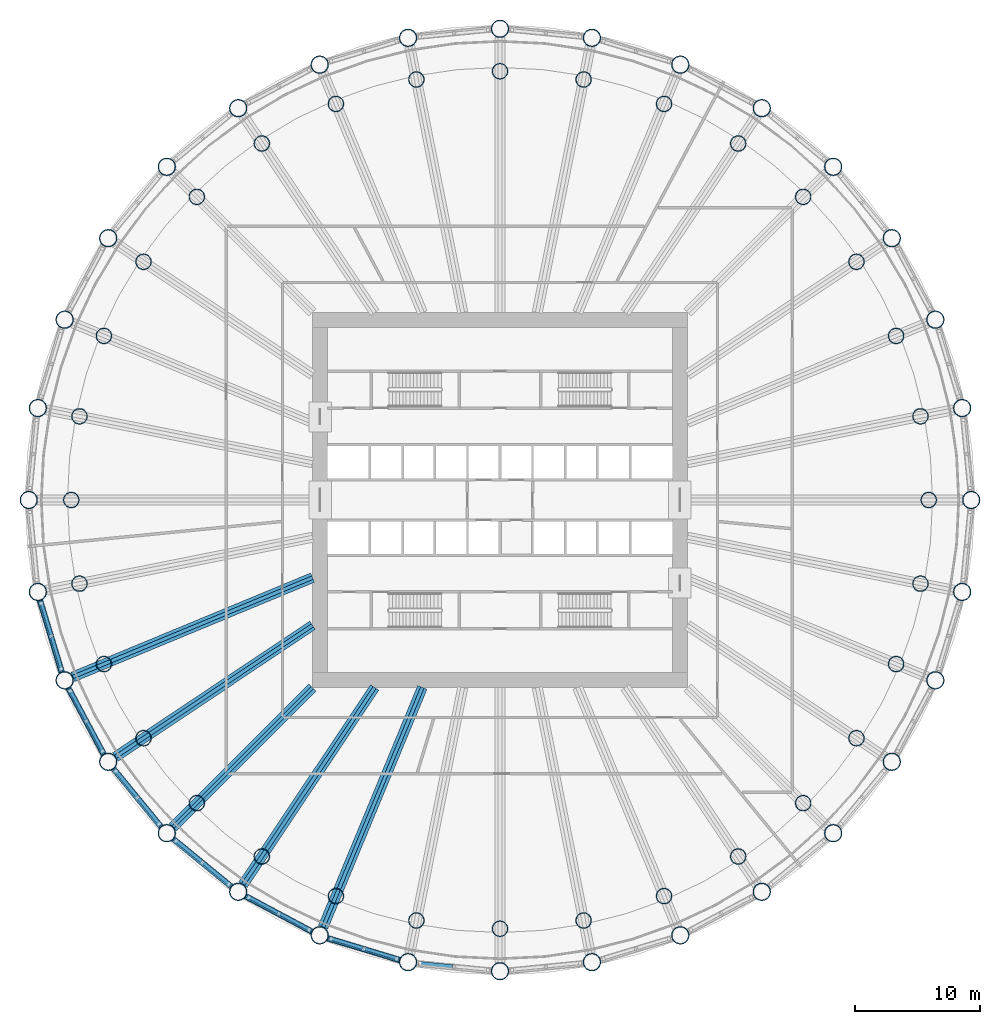
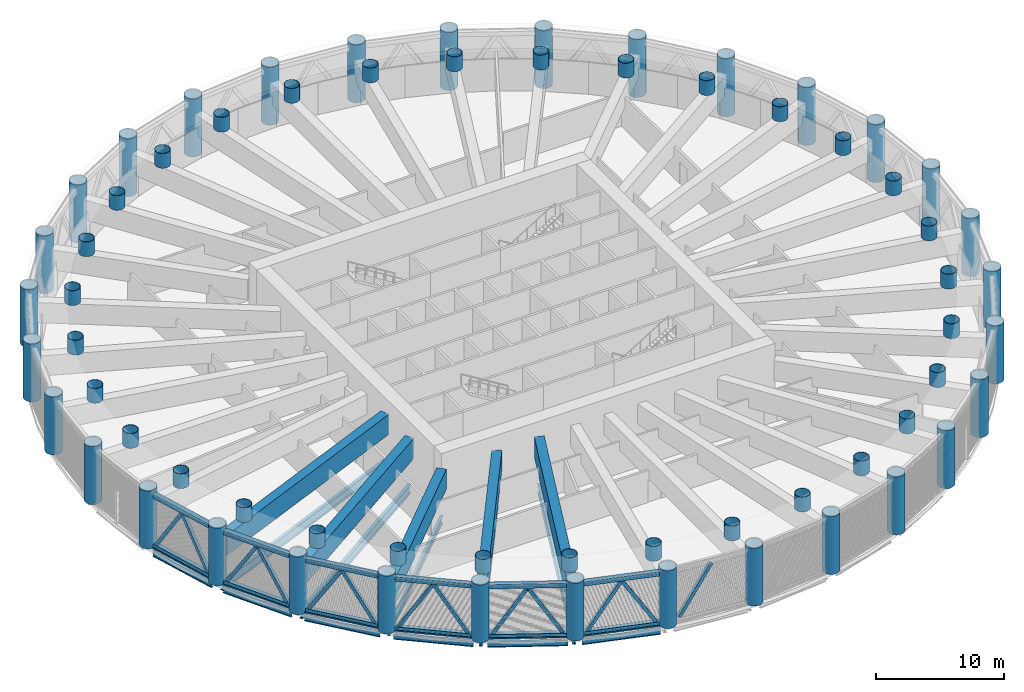
# One storey, part 1 of 26: 64 columns, 31 members, 16 beams, 6 elements without a shape of their own.
"""IFC4 building model written with IfcOpenShell, lengths in metres."""

from ifc_helpers import new_model, si_unit, direction, frame, origin, origin_2d, place, context, subcontext, project, spatial, rectangle, hollow_rectangle, hollow_circle, i_section, extrude, material, material_profile, profile_set, type_object, element, aggregate, save


model = new_model("IFC4")

# Units and contexts
model_context = context("Model", 3, precision=1e-05, world=origin(), true_north=direction((0.0, 1.0)))
body_context = subcontext(model_context, "Body", "Model", "MODEL_VIEW")
ifc_project = project(units=[si_unit("LENGTHUNIT", "METRE"), si_unit("AREAUNIT", "SQUARE_METRE"), si_unit("VOLUMEUNIT", "CUBIC_METRE"), si_unit("PLANEANGLEUNIT", "RADIAN"), si_unit("MASSUNIT", "GRAM", prefix="KILO")], contexts=[model_context])

# Site, building, storey
site_placement = place(None, origin())
site = spatial("IfcSite", under=ifc_project, at=site_placement, CompositionType="ELEMENT")
building_placement = place(site_placement, origin())
building = spatial("IfcBuilding", under=site, at=building_placement, Name="Corvane Civic Tower", CompositionType="ELEMENT")
storey_placement = place(building_placement, frame((0.0, 0.0, 85.0)))
storey = spatial("IfcBuildingStorey", under=building, at=storey_placement, Name="L19", CompositionType="ELEMENT", Elevation=85.0)

# Columns
ifc_material_1 = material(Name="Steel ASTM A572 Gr 50", Category="steel")
ifc_material_profile_1 = material_profile(ifc_material_1, hollow_circle(Radius=0.625, WallThickness=0.035888671875, at=origin_2d()), Name="CHS1250X36")
ifc_profile_set_1 = profile_set([ifc_material_profile_1], Name="Steel ASTM A572 Gr 50")
column_type_1 = type_object("IfcColumnType", Name="COMPOSITE COLUMN CHS1250X36", PredefinedType="COLUMN", material=ifc_profile_set_1)
for number, where, z_axis, x_axis, name in (
    (1, (0.0, 34.300048828125, 4.10009765625), (0.0, 0.0, 1.0), (1.0, 0.0, 0.0), "COL-L19-B01"),
    (2, (6.691650390625, 33.640869140625, 4.10009765625), (0.0, 0.0, 1.0), (1.0, 0.0, 0.0), "COL-L19-B02"),
    (3, (13.1259765625, 31.68896484375, 4.10009765625), (0.0, 0.0, 1.0), (1.0, 0.0, 0.0), "COL-L19-B03"),
    (4, (19.05615234375, 28.519287109375, 4.10009765625), (0.0, 0.0, 1.0), (1.0, 0.0, 0.0), "COL-L19-B04"),
    (5, (24.253662109375, 24.253662109375, 4.10009765625), (0.0, 0.0, 1.0), (1.0, 0.0, 0.0), "COL-L19-B05"),
    (6, (28.519287109375, 19.05615234375, 4.10009765625), (0.0, 0.0, 1.0), (1.0, 0.0, 0.0), "COL-L19-B06"),
    (7, (31.68896484375, 13.1259765625, 4.10009765625), (0.0, 0.0, 1.0), (1.0, 0.0, 0.0), "COL-L19-B07"),
    (8, (33.640869140625, 6.691650390625, 4.10009765625), (0.0, 0.0, 1.0), (1.0, 0.0, 0.0), "COL-L19-B08"),
    (9, (34.300048828125, 0.0, 4.10009765625), (0.0, 0.0, 1.0), (1.0, 0.0, 0.0), "COL-L19-B09"),
    (10, (33.640869140625, -6.691650390625, 4.10009765625), (0.0, 0.0, 1.0), (1.0, 0.0, 0.0), "COL-L19-B10"),
    (11, (31.68896484375, -13.1259765625, 4.10009765625), (0.0, 0.0, 1.0), (1.0, 0.0, 0.0), "COL-L19-B11"),
    (12, (28.519287109375, -19.05615234375, 4.10009765625), (0.0, 0.0, 1.0), (1.0, 0.0, 0.0), "COL-L19-B12"),
    (13, (24.253662109375, -24.253662109375, 4.10009765625), (0.0, 0.0, 1.0), (1.0, 0.0, 0.0), "COL-L19-B13"),
    (14, (19.05615234375, -28.519287109375, 4.10009765625), (0.0, 0.0, 1.0), (1.0, 0.0, 0.0), "COL-L19-B14"),
    (15, (13.1259765625, -31.68896484375, 4.10009765625), (0.0, 0.0, 1.0), (1.0, 0.0, 0.0), "COL-L19-B15"),
    (16, (6.691650390625, -33.640869140625, 4.10009765625), (0.0, 0.0, 1.0), (1.0, 0.0, 0.0), "COL-L19-B16"),
    (17, (0.0, -34.300048828125, 4.10009765625), (0.0, 0.0, 1.0), (1.0, 0.0, 0.0), "COL-L19-B17"),
    (18, (-6.691650390625, -33.640869140625, 4.10009765625), (0.0, 0.0, 1.0), (1.0, 0.0, 0.0), "COL-L19-B18"),
    (19, (-13.1259765625, -31.68896484375, 4.10009765625), (0.0, 0.0, 1.0), (1.0, 0.0, 0.0), "COL-L19-B19"),
    (20, (-19.05615234375, -28.519287109375, 4.10009765625), (0.0, 0.0, 1.0), (1.0, 0.0, 0.0), "COL-L19-B20"),
    (21, (-24.253662109375, -24.253662109375, 4.10009765625), (0.0, 0.0, 1.0), (1.0, 0.0, 0.0), "COL-L19-B21"),
    (22, (-28.519287109375, -19.05615234375, 4.10009765625), (0.0, 0.0, 1.0), (1.0, 0.0, 0.0), "COL-L19-B22"),
    (23, (-31.68896484375, -13.1259765625, 4.10009765625), (0.0, 0.0, 1.0), (1.0, 0.0, 0.0), "COL-L19-B23"),
    (24, (-33.640869140625, -6.691650390625, 4.10009765625), (0.0, 0.0, 1.0), (1.0, 0.0, 0.0), "COL-L19-B24"),
    (25, (-34.300048828125, 0.0, 4.10009765625), (0.0, 0.0, 1.0), (1.0, 0.0, 0.0), "COL-L19-B25"),
    (26, (-33.640869140625, 6.691650390625, 4.10009765625), (0.0, 0.0, 1.0), (1.0, 0.0, 0.0), "COL-L19-B26"),
    (27, (-31.68896484375, 13.1259765625, 4.10009765625), (0.0, 0.0, 1.0), (1.0, 0.0, 0.0), "COL-L19-B27"),
    (28, (-28.519287109375, 19.05615234375, 4.10009765625), (0.0, 0.0, 1.0), (1.0, 0.0, 0.0), "COL-L19-B28"),
    (29, (-24.253662109375, 24.253662109375, 4.10009765625), (0.0, 0.0, 1.0), (1.0, 0.0, 0.0), "COL-L19-B29"),
    (30, (-19.05615234375, 28.519287109375, 4.10009765625), (0.0, 0.0, 1.0), (1.0, 0.0, 0.0), "COL-L19-B30"),
    (31, (-13.1259765625, 31.68896484375, 4.10009765625), (0.0, 0.0, 1.0), (1.0, 0.0, 0.0), "COL-L19-B31"),
    (32, (-6.691650390625, 33.640869140625, 4.10009765625), (0.0, 0.0, 1.0), (1.0, 0.0, 0.0), "COL-L19-B32"),
):
    element("IfcColumn", number, at=place(storey_placement, frame(where, z_axis=z_axis, x_axis=x_axis)), inside=storey, type_object=column_type_1, Name=name, PredefinedType="COLUMN", context=body_context, shape_type="SweptSolid", body=[
        extrude(hollow_circle(Radius=0.625, WallThickness=0.035888671875, at=origin_2d()), origin(), (0.0, 0.0, 1.0), 1.39990234375),
    ])
ifc_material_2 = material(Name="Steel ASTM A572 Gr 50", Category="steel")
ifc_material_profile_2 = material_profile(ifc_material_2, hollow_circle(Radius=0.699951171875, WallThickness=0.0400390625, at=origin_2d()), Name="CHS1400X40")
ifc_profile_set_2 = profile_set([ifc_material_profile_2], Name="Steel ASTM A572 Gr 50")
column_type_2 = type_object("IfcColumnType", Name="COMPOSITE COLUMN CHS1400X40", PredefinedType="COLUMN", material=ifc_profile_set_2)
for number, where, z_axis, x_axis, name in (
    (33, (0.0, 37.699951171875, 0.0), (0.0, 0.0, 1.0), (1.0, 0.0, 0.0), "COL-L19-A01"),
    (34, (7.35498046875, 36.9755859375, 0.0), (0.0, 0.0, 1.0), (1.0, 0.0, 0.0), "COL-L19-A02"),
    (35, (14.42724609375, 34.830322265625, 0.0), (0.0, 0.0, 1.0), (1.0, 0.0, 0.0), "COL-L19-A03"),
    (36, (20.945068359375, 31.346435546875, 0.0), (0.0, 0.0, 1.0), (1.0, 0.0, 0.0), "COL-L19-A04"),
    (37, (26.657958984375, 26.657958984375, 0.0), (0.0, 0.0, 1.0), (1.0, 0.0, 0.0), "COL-L19-A05"),
    (38, (31.346435546875, 20.945068359375, 0.0), (0.0, 0.0, 1.0), (1.0, 0.0, 0.0), "COL-L19-A06"),
    (39, (34.830322265625, 14.42724609375, 0.0), (0.0, 0.0, 1.0), (1.0, 0.0, 0.0), "COL-L19-A07"),
    (40, (36.9755859375, 7.35498046875, 0.0), (0.0, 0.0, 1.0), (1.0, 0.0, 0.0), "COL-L19-A08"),
    (41, (37.699951171875, 0.0, 0.0), (0.0, 0.0, 1.0), (1.0, 0.0, 0.0), "COL-L19-A09"),
    (42, (36.9755859375, -7.35498046875, 0.0), (0.0, 0.0, 1.0), (1.0, 0.0, 0.0), "COL-L19-A10"),
    (43, (34.830322265625, -14.42724609375, 0.0), (0.0, 0.0, 1.0), (1.0, 0.0, 0.0), "COL-L19-A11"),
    (44, (31.346435546875, -20.945068359375, 0.0), (0.0, 0.0, 1.0), (1.0, 0.0, 0.0), "COL-L19-A12"),
    (45, (26.657958984375, -26.657958984375, 0.0), (0.0, 0.0, 1.0), (1.0, 0.0, 0.0), "COL-L19-A13"),
    (46, (20.945068359375, -31.346435546875, 0.0), (0.0, 0.0, 1.0), (1.0, 0.0, 0.0), "COL-L19-A14"),
    (47, (14.42724609375, -34.830322265625, 0.0), (0.0, 0.0, 1.0), (1.0, 0.0, 0.0), "COL-L19-A15"),
    (48, (7.35498046875, -36.9755859375, 0.0), (0.0, 0.0, 1.0), (1.0, 0.0, 0.0), "COL-L19-A16"),
    (49, (0.0, -37.699951171875, 0.0), (0.0, 0.0, 1.0), (1.0, 0.0, 0.0), "COL-L19-A17"),
    (50, (-7.35498046875, -36.9755859375, 0.0), (0.0, 0.0, 1.0), (1.0, 0.0, 0.0), "COL-L19-A18"),
    (51, (-14.42724609375, -34.830322265625, 0.0), (0.0, 0.0, 1.0), (1.0, 0.0, 0.0), "COL-L19-A19"),
    (52, (-20.945068359375, -31.346435546875, 0.0), (0.0, 0.0, 1.0), (1.0, 0.0, 0.0), "COL-L19-A20"),
    (53, (-26.657958984375, -26.657958984375, 0.0), (0.0, 0.0, 1.0), (1.0, 0.0, 0.0), "COL-L19-A21"),
    (54, (-31.346435546875, -20.945068359375, 0.0), (0.0, 0.0, 1.0), (1.0, 0.0, 0.0), "COL-L19-A22"),
    (55, (-34.830322265625, -14.42724609375, 0.0), (0.0, 0.0, 1.0), (1.0, 0.0, 0.0), "COL-L19-A23"),
    (56, (-36.9755859375, -7.35498046875, 0.0), (0.0, 0.0, 1.0), (1.0, 0.0, 0.0), "COL-L19-A24"),
    (57, (-37.699951171875, 0.0, 0.0), (0.0, 0.0, 1.0), (1.0, 0.0, 0.0), "COL-L19-A25"),
    (58, (-36.9755859375, 7.35498046875, 0.0), (0.0, 0.0, 1.0), (1.0, 0.0, 0.0), "COL-L19-A26"),
    (59, (-34.830322265625, 14.42724609375, 0.0), (0.0, 0.0, 1.0), (1.0, 0.0, 0.0), "COL-L19-A27"),
    (60, (-31.346435546875, 20.945068359375, 0.0), (0.0, 0.0, 1.0), (1.0, 0.0, 0.0), "COL-L19-A28"),
    (61, (-26.657958984375, 26.657958984375, 0.0), (0.0, 0.0, 1.0), (1.0, 0.0, 0.0), "COL-L19-A29"),
    (62, (-20.945068359375, 31.346435546875, 0.0), (0.0, 0.0, 1.0), (1.0, 0.0, 0.0), "COL-L19-A30"),
    (63, (-14.42724609375, 34.830322265625, 0.0), (0.0, 0.0, 1.0), (1.0, 0.0, 0.0), "COL-L19-A31"),
    (64, (-7.35498046875, 36.9755859375, 0.0), (0.0, 0.0, 1.0), (1.0, 0.0, 0.0), "COL-L19-A32"),
):
    element("IfcColumn", number, at=place(storey_placement, frame(where, z_axis=z_axis, x_axis=x_axis)), inside=storey, type_object=column_type_2, Name=name, PredefinedType="COLUMN", context=body_context, shape_type="SweptSolid", body=[
        extrude(hollow_circle(Radius=0.699951171875, WallThickness=0.0400390625, at=origin_2d()), origin(), (0.0, 0.0, 1.0), 5.5),
    ])

# Members
ifc_material_3 = material(Name="Steel ASTM A500 Gr C", Category="steel")
ifc_material_profile_3 = material_profile(ifc_material_3, hollow_rectangle(XDim=0.406494140625, YDim=0.406494140625, WallThickness=0.0146484375, at=origin_2d()), Name="HSS16X16X5/8")
ifc_profile_set_3 = profile_set([ifc_material_profile_3], Name="Steel ASTM A500 Gr C")
member_type_1 = type_object("IfcMemberType", Name="BELT CHORD HSS16X16X5/8", PredefinedType="CHORD", material=ifc_profile_set_3)
for number, where, z_axis, x_axis, name in (
    (65, (-8.02490234375, -36.7724609375, 4.94677734375), (-0.956935582172, 0.290300347181, 0.0), (-0.290300347181, -0.956935582172, 0.0), "Belt truss BT-L19"),
    (66, (-8.02490234375, -36.7724609375, 0.203125), (-0.956935582172, 0.290300347181, 0.0), (-0.290300347181, -0.956935582172, 0.0), "Belt truss BT-L19"),
):
    element("IfcMember", number, at=place(storey_placement, frame(where, z_axis=z_axis, x_axis=x_axis)), inside=storey, type_object=member_type_1, Name=name, PredefinedType="CHORD", context=body_context, shape_type="SweptSolid", body=[
        extrude(hollow_rectangle(XDim=0.406494140625, YDim=0.406494140625, WallThickness=0.0146484375, at=origin_2d()), origin(), (0.0, 0.0, 1.0), 5.990478515625),
    ])
for number, where, z_axis, x_axis, name in (
    (67, (-15.044677734375, -34.500244140625, 4.94677734375), (-0.881926118213, 0.471387655772, 0.0), (-0.471387655772, -0.881926118213, 0.0), "Belt truss BT-L19"),
    (68, (-15.044677734375, -34.500244140625, 0.203125), (-0.881926118213, 0.471387655772, 0.0), (-0.471387655772, -0.881926118213, 0.0), "Belt truss BT-L19"),
):
    element("IfcMember", number, at=place(storey_placement, frame(where, z_axis=z_axis, x_axis=x_axis)), inside=storey, type_object=member_type_1, Name=name, PredefinedType="CHORD", context=body_context, shape_type="SweptSolid", body=[
        extrude(hollow_rectangle(XDim=0.406494140625, YDim=0.406494140625, WallThickness=0.0146484375, at=origin_2d()), origin(), (0.0, 0.0, 1.0), 5.990234375),
    ])
for number, where, z_axis, x_axis, name in (
    (69, (-21.486083984375, -30.90234375, 4.94677734375), (-0.773023150081, 0.634377812851, 0.0), (-0.634377812851, -0.773023150081, 0.0), "Belt truss BT-L19"),
    (70, (-21.486083984375, -30.90234375, 0.203125), (-0.773023150081, 0.634377812851, 0.0), (-0.634377812851, -0.773023150081, 0.0), "Belt truss BT-L19"),
    (71, (-27.10205078125, -26.116943359375, 4.94677734375), (-0.634377812851, 0.773023150081, 0.0), (-0.773023150081, -0.634377812851, 0.0), "Belt truss BT-L19"),
    (72, (-27.10205078125, -26.116943359375, 0.203125), (-0.634377812851, 0.773023150081, 0.0), (-0.773023150081, -0.634377812851, 0.0), "Belt truss BT-L19"),
):
    element("IfcMember", number, at=place(storey_placement, frame(where, z_axis=z_axis, x_axis=x_axis)), inside=storey, type_object=member_type_1, Name=name, PredefinedType="CHORD", context=body_context, shape_type="SweptSolid", body=[
        extrude(hollow_rectangle(XDim=0.406494140625, YDim=0.406494140625, WallThickness=0.0146484375, at=origin_2d()), origin(), (0.0, 0.0, 1.0), 5.990478515625),
    ])
for number, where, z_axis, x_axis, name in (
    (73, (-31.676513671875, -20.32763671875, 4.94677734375), (-0.471387655772, 0.881926118213, 0.0), (-0.881926118213, -0.471387655772, 0.0), "Belt truss BT-L19"),
    (74, (-31.676513671875, -20.32763671875, 0.203125), (-0.471387655772, 0.881926118213, 0.0), (-0.881926118213, -0.471387655772, 0.0), "Belt truss BT-L19"),
):
    element("IfcMember", number, at=place(storey_placement, frame(where, z_axis=z_axis, x_axis=x_axis)), inside=storey, type_object=member_type_1, Name=name, PredefinedType="CHORD", context=body_context, shape_type="SweptSolid", body=[
        extrude(hollow_rectangle(XDim=0.406494140625, YDim=0.406494140625, WallThickness=0.0146484375, at=origin_2d()), origin(), (0.0, 0.0, 1.0), 5.990234375),
    ])
for number, where, z_axis, x_axis, name in (
    (75, (-35.033447265625, -13.75732421875, 4.94677734375), (-0.290300347181, 0.956935582172, 0.0), (-0.956935582172, -0.290300347181, 0.0), "Belt truss BT-L19"),
    (76, (-35.033447265625, -13.75732421875, 0.203125), (-0.290300347181, 0.956935582172, 0.0), (-0.956935582172, -0.290300347181, 0.0), "Belt truss BT-L19"),
):
    element("IfcMember", number, at=place(storey_placement, frame(where, z_axis=z_axis, x_axis=x_axis)), inside=storey, type_object=member_type_1, Name=name, PredefinedType="CHORD", context=body_context, shape_type="SweptSolid", body=[
        extrude(hollow_rectangle(XDim=0.406494140625, YDim=0.406494140625, WallThickness=0.0146484375, at=origin_2d()), origin(), (0.0, 0.0, 1.0), 5.990478515625),
    ])
ifc_material_4 = material(Name="Steel ASTM A500 Gr C", Category="steel")
ifc_material_profile_4 = material_profile(ifc_material_4, hollow_rectangle(XDim=0.3046875, YDim=0.3046875, WallThickness=0.01171875, at=origin_2d()), Name="HSS12X12X1/2")
ifc_profile_set_4 = profile_set([ifc_material_profile_4], Name="Steel ASTM A500 Gr C")
member_type_2 = type_object("IfcMemberType", Name="BELT DIAGONAL HSS12X12X1/2", PredefinedType="BRACE", material=ifc_profile_set_4)
for number, where, z_axis, x_axis, name in (
    (77, (-6.40966796875, -37.068603515625, 0.406494140625), (0.532271292461, -0.052461373924, 0.844946788542), (0.098086074712, 0.995177934817, 0.0), "Belt truss BT-L19"),
    (78, (-8.26416015625, -36.699951171875, 0.406494140625), (-0.511781874141, 0.155294406977, 0.844963289417), (-0.290365274905, -0.956915882996, 0.0), "Belt truss BT-L19"),
):
    element("IfcMember", number, at=place(storey_placement, frame(where, z_axis=z_axis, x_axis=x_axis)), inside=storey, type_object=member_type_2, Name=name, PredefinedType="BRACE", context=body_context, shape_type="SweptSolid", body=[
        extrude(hollow_rectangle(XDim=0.3046875, YDim=0.3046875, WallThickness=0.01171875, at=origin_2d()), origin(), (0.0, 0.0, 1.0), 5.133056640625),
    ])
member_1_placement = place(storey_placement, frame((-13.51806640625, -35.106201171875, 0.406494140625), z_axis=(0.511789432368, -0.155201572288, 0.844975768218), x_axis=(0.290202393071, 0.956965292503, 0.0)))
element("IfcMember", 79, at=member_1_placement, inside=storey, type_object=member_type_2, Name="Belt truss BT-L19", PredefinedType="BRACE", context=body_context, shape_type="SweptSolid", body=[
    extrude(hollow_rectangle(XDim=0.3046875, YDim=0.3046875, WallThickness=0.01171875, at=origin_2d()), origin(), (0.0, 0.0, 1.0), 5.1328125),
])
member_2_placement = place(storey_placement, frame((-15.26513671875, -34.382568359375, 0.406494140625), z_axis=(-0.471680795624, 0.252130674357, 0.844954052057), x_axis=(-0.47141424069, -0.881911908115, 0.0)))
element("IfcMember", 80, at=member_2_placement, inside=storey, type_object=member_type_2, Name="Belt truss BT-L19", PredefinedType="BRACE", context=body_context, shape_type="SweptSolid", body=[
    extrude(hollow_rectangle(XDim=0.3046875, YDim=0.3046875, WallThickness=0.01171875, at=origin_2d()), origin(), (0.0, 0.0, 1.0), 5.133056640625),
])
for number, where, z_axis, x_axis, name in (
    (81, (-20.107177734375, -31.794189453125, 0.406494140625), (0.471643813443, -0.252136330684, 0.844973007847), (0.471451215163, 0.881892142907, 0.0), "Belt truss BT-L19"),
    (82, (-21.679443359375, -30.74365234375, 0.406494140625), (-0.413424223183, 0.339272317529, 0.844970239857), (-0.634375212776, -0.773025283814, 0.0), "Belt truss BT-L19"),
    (83, (-25.923583984375, -27.2607421875, 0.406494140625), (0.413424223183, -0.339272317529, 0.844970239857), (0.634375212776, 0.773025283814, 0.0), "Belt truss BT-L19"),
    (84, (-27.2607421875, -25.923583984375, 0.406494140625), (-0.339272317529, 0.413424223183, 0.844970239857), (-0.773025283814, -0.634375212776, 0.0), "Belt truss BT-L19"),
    (85, (-30.74365234375, -21.679443359375, 0.406494140625), (0.339272317529, -0.413424223183, 0.844970239857), (0.773025283814, 0.634375212776, 0.0), "Belt truss BT-L19"),
    (86, (-31.794189453125, -20.107177734375, 0.406494140625), (-0.252136330684, 0.471643813443, 0.844973007847), (-0.881892142907, -0.471451215163, 0.0), "Belt truss BT-L19"),
):
    element("IfcMember", number, at=place(storey_placement, frame(where, z_axis=z_axis, x_axis=x_axis)), inside=storey, type_object=member_type_2, Name=name, PredefinedType="BRACE", context=body_context, shape_type="SweptSolid", body=[
        extrude(hollow_rectangle(XDim=0.3046875, YDim=0.3046875, WallThickness=0.01171875, at=origin_2d()), origin(), (0.0, 0.0, 1.0), 5.1328125),
    ])
member_3_placement = place(storey_placement, frame((-34.382568359375, -15.26513671875, 0.406494140625), z_axis=(0.252130674357, -0.471680795624, 0.844954052057), x_axis=(0.881911908115, 0.47141424069, 0.0)))
element("IfcMember", 87, at=member_3_placement, inside=storey, type_object=member_type_2, Name="Belt truss BT-L19", PredefinedType="BRACE", context=body_context, shape_type="SweptSolid", body=[
    extrude(hollow_rectangle(XDim=0.3046875, YDim=0.3046875, WallThickness=0.01171875, at=origin_2d()), origin(), (0.0, 0.0, 1.0), 5.133056640625),
])
member_4_placement = place(storey_placement, frame((-35.106201171875, -13.51806640625, 0.406494140625), z_axis=(-0.155201572288, 0.511789432368, 0.844975768218), x_axis=(-0.956965292503, -0.290202393071, 0.0)))
element("IfcMember", 88, at=member_4_placement, inside=storey, type_object=member_type_2, Name="Belt truss BT-L19", PredefinedType="BRACE", context=body_context, shape_type="SweptSolid", body=[
    extrude(hollow_rectangle(XDim=0.3046875, YDim=0.3046875, WallThickness=0.01171875, at=origin_2d()), origin(), (0.0, 0.0, 1.0), 5.1328125),
])
member_5_placement = place(storey_placement, frame((-36.699951171875, -8.26416015625, 0.406494140625), z_axis=(0.155294406977, -0.511781874141, 0.844963289417), x_axis=(0.956915882996, 0.290365274905, 0.0)))
element("IfcMember", 89, at=member_5_placement, inside=storey, type_object=member_type_2, Name="Belt truss BT-L19", PredefinedType="BRACE", context=body_context, shape_type="SweptSolid", body=[
    extrude(hollow_rectangle(XDim=0.3046875, YDim=0.3046875, WallThickness=0.01171875, at=origin_2d()), origin(), (0.0, 0.0, 1.0), 5.133056640625),
])

# Beams
ifc_material_5 = material(Name="Steel ASTM A992 Gr 50", Category="steel")
ifc_material_profile_5 = material_profile(ifc_material_5, i_section(OverallWidth=0.209228515625, OverallDepth=0.533447265625, WebThickness=0.01025390625, FlangeThickness=0.015625, at=origin_2d()), Name="W21X62")
ifc_profile_set_5 = profile_set([ifc_material_profile_5], Name="Steel ASTM A992 Gr 50")
beam_type_1 = type_object("IfcBeamType", Name="EDGE BEAM W21X62", PredefinedType="BEAM", material=ifc_profile_set_5)
for number, where, z_axis, x_axis, name in (
    (90, (-7.88134765625, -36.81591796875, -0.61669921875), (-0.956943740748, 0.290273452184, 0.0), (-0.290273452184, -0.956943740748, 0.0), "BM-L19-E18"),
    (91, (-14.912353515625, -34.571044921875, -0.61669921875), (-0.881916367906, 0.471405897311, 0.0), (-0.471405897311, -0.881916367906, 0.0), "BM-L19-E19"),
):
    element("IfcBeam", number, at=place(storey_placement, frame(where, z_axis=z_axis, x_axis=x_axis)), inside=storey, type_object=beam_type_1, Name=name, PredefinedType="BEAM", context=body_context, shape_type="SweptSolid", body=[
        extrude(i_section(OverallWidth=0.209228515625, OverallDepth=0.533447265625, WebThickness=0.01025390625, FlangeThickness=0.015625, at=origin_2d()), origin(), (0.0, 0.0, 1.0), 6.290283203125),
    ])
for number, where, z_axis, x_axis, name in (
    (92, (-21.3701171875, -30.99755859375, -0.61669921875), (-0.773015785286, 0.634386787141, 0.0), (-0.634386787141, -0.773015785286, 0.0), "BM-L19-E20"),
    (93, (-27.0068359375, -26.23291015625, -0.61669921875), (-0.634386787141, 0.773015785286, 0.0), (-0.773015785286, -0.634386787141, 0.0), "BM-L19-E21"),
):
    element("IfcBeam", number, at=place(storey_placement, frame(where, z_axis=z_axis, x_axis=x_axis)), inside=storey, type_object=beam_type_1, Name=name, PredefinedType="BEAM", context=body_context, shape_type="SweptSolid", body=[
        extrude(i_section(OverallWidth=0.209228515625, OverallDepth=0.533447265625, WebThickness=0.01025390625, FlangeThickness=0.015625, at=origin_2d()), origin(), (0.0, 0.0, 1.0), 6.290771484375),
    ])
for number, where, z_axis, x_axis, name in (
    (94, (-31.605712890625, -20.4599609375, -0.61669921875), (-0.471405897311, 0.881916367906, 0.0), (-0.881916367906, -0.471405897311, 0.0), "BM-L19-E22"),
    (95, (-34.989990234375, -13.90087890625, -0.61669921875), (-0.290273452184, 0.956943740748, 0.0), (-0.956943740748, -0.290273452184, 0.0), "BM-L19-E23"),
):
    element("IfcBeam", number, at=place(storey_placement, frame(where, z_axis=z_axis, x_axis=x_axis)), inside=storey, type_object=beam_type_1, Name=name, PredefinedType="BEAM", context=body_context, shape_type="SweptSolid", body=[
        extrude(i_section(OverallWidth=0.209228515625, OverallDepth=0.533447265625, WebThickness=0.01025390625, FlangeThickness=0.015625, at=origin_2d()), origin(), (0.0, 0.0, 1.0), 6.290283203125),
    ])
ifc_material_6 = material(Name="Steel ASTM A992 Gr 50", Category="steel")
ifc_material_profile_6 = material_profile(ifc_material_6, i_section(OverallWidth=0.256591796875, OverallDepth=0.693359375, WebThickness=0.014404296875, FlangeThickness=0.023681640625, at=origin_2d()), Name="W27X114")
ifc_profile_set_6 = profile_set([ifc_material_profile_6], Name="Steel ASTM A992 Gr 50")
beam_type_2 = type_object("IfcBeamType", Name="FLOOR GIRDER W27X114", PredefinedType="BEAM", material=ifc_profile_set_6)
beam_1_placement = place(storey_placement, frame((-15.0, -15.0, -0.69677734375), z_axis=(-0.707106781187, -0.707106781187, 0.0), x_axis=(0.707106781187, -0.707106781187, 0.0)))
element("IfcBeam", 96, at=beam_1_placement, inside=storey, type_object=beam_type_2, Name="BM-L19-G21", PredefinedType="BEAM", context=body_context, shape_type="SweptSolid", body=[
    extrude(i_section(OverallWidth=0.256591796875, OverallDepth=0.693359375, WebThickness=0.014404296875, FlangeThickness=0.023681640625, at=origin_2d()), origin(), (0.0, 0.0, 1.0), 15.936767578125),
])
ifc_material_7 = material(Name="Steel ASTM A992 Gr 50", Category="steel")
ifc_material_profile_7 = material_profile(ifc_material_7, i_section(OverallWidth=0.2919921875, OverallDepth=0.8583984375, WebThickness=0.01708984375, FlangeThickness=0.031005859375, at=origin_2d()), Name="W33X169")
ifc_profile_set_7 = profile_set([ifc_material_profile_7], Name="Steel ASTM A992 Gr 50")
beam_type_3 = type_object("IfcBeamType", Name="FLOOR GIRDER W33X169", PredefinedType="BEAM", material=ifc_profile_set_7)
beam_2_placement = place(storey_placement, frame((-6.213134765625, -15.0, -0.779296875), z_axis=(-0.382692360381, -0.923875834355, 0.0), x_axis=(0.923875834355, -0.382692360381, 0.0)))
element("IfcBeam", 97, at=beam_2_placement, inside=storey, type_object=beam_type_3, Name="BM-L19-G19", PredefinedType="BEAM", context=body_context, shape_type="SweptSolid", body=[
    extrude(i_section(OverallWidth=0.2919921875, OverallDepth=0.8583984375, WebThickness=0.01708984375, FlangeThickness=0.031005859375, at=origin_2d()), origin(), (0.0, 0.0, 1.0), 20.9140625),
])
for number, where, z_axis, x_axis, name in (
    (98, (-10.022705078125, -15.0, -0.779296875), (-0.555566681385, -0.831471985418, 0.0), (0.831471985418, -0.555566681385, 0.0), "BM-L19-G20"),
    (99, (-15.0, -10.022705078125, -0.779296875), (-0.831471985418, -0.555566681385, 0.0), (0.555566681385, -0.831471985418, 0.0), "BM-L19-G22"),
):
    element("IfcBeam", number, at=place(storey_placement, frame(where, z_axis=z_axis, x_axis=x_axis)), inside=storey, type_object=beam_type_3, Name=name, PredefinedType="BEAM", context=body_context, shape_type="SweptSolid", body=[
        extrude(i_section(OverallWidth=0.2919921875, OverallDepth=0.8583984375, WebThickness=0.01708984375, FlangeThickness=0.031005859375, at=origin_2d()), origin(), (0.0, 0.0, 1.0), 19.109619140625),
    ])
beam_3_placement = place(storey_placement, frame((-15.0, -6.213134765625, -0.779296875), z_axis=(-0.923875834355, -0.382692360381, 0.0), x_axis=(0.382692360381, -0.923875834355, 0.0)))
element("IfcBeam", 100, at=beam_3_placement, inside=storey, type_object=beam_type_3, Name="BM-L19-G23", PredefinedType="BEAM", context=body_context, shape_type="SweptSolid", body=[
    extrude(i_section(OverallWidth=0.2919921875, OverallDepth=0.8583984375, WebThickness=0.01708984375, FlangeThickness=0.031005859375, at=origin_2d()), origin(), (0.0, 0.0, 1.0), 20.9140625),
])

# Curtain wall, member
ifc_material_8 = material(Name="Anodised aluminium bronze", Category="aluminium")
curtain_wall_type = type_object("IfcCurtainWallType", Name="TOWER CW-LV LOUVRE SCREEN WALL", PredefinedType="NOTDEFINED", material=ifc_material_8)
curtain_wall_1_placement = place(storey_placement, origin())
curtain_wall_1 = element("IfcCurtainWall", 101, at=curtain_wall_1_placement, inside=storey, type_object=curtain_wall_type, Name="Louvre screen wall CW-LV L19 bay 18", PredefinedType="NOTDEFINED")
ifc_material_9 = material(Name="Anodised aluminium bronze", Category="aluminium")
ifc_material_profile_8 = material_profile(ifc_material_9, rectangle(XDim=0.139892578125, YDim=0.1201171875, at=origin_2d()), Name="TOWER CW-LV TRANSOM 140x120")
ifc_profile_set_8 = profile_set([ifc_material_profile_8], Name="Anodised aluminium bronze")
member_type_3 = type_object("IfcMemberType", Name="TOWER CW-LV TRANSOM 140x120", PredefinedType="USERDEFINED", material=ifc_profile_set_8)
member_6_placement = place(storey_placement, frame((-8.02587890625, -36.959228515625, 0.06005859375), z_axis=(-0.956944551866, 0.29027077816, 0.0), x_axis=(-0.29027077816, -0.956944551866, 0.0)))
member_6 = element("IfcMember", 102, at=member_6_placement, type_object=member_type_3, Name="Transom CW-LV L19 18.1", ObjectType="TRANSOM", PredefinedType="USERDEFINED", context=body_context, shape_type="SweptSolid", body=[
    extrude(rectangle(XDim=0.139892578125, YDim=0.1201171875, at=origin_2d()), origin(), (0.0, 0.0, 1.0), 6.096923828125),
])
aggregate(curtain_wall_1, [member_6])

curtain_wall_2_placement = place(storey_placement, origin())
curtain_wall_2 = element("IfcCurtainWall", 103, at=curtain_wall_2_placement, inside=storey, type_object=curtain_wall_type, Name="Louvre screen wall CW-LV L19 bay 19", PredefinedType="NOTDEFINED")
member_7_placement = place(storey_placement, frame((-15.08203125, -34.683349609375, 0.06005859375), z_axis=(-0.881931381664, 0.47137780817, 0.0), x_axis=(-0.47137780817, -0.881931381664, 0.0)))
member_7 = element("IfcMember", 104, at=member_7_placement, type_object=member_type_3, Name="Transom CW-LV L19 19.1", ObjectType="TRANSOM", PredefinedType="USERDEFINED", context=body_context, shape_type="SweptSolid", body=[
    extrude(rectangle(XDim=0.139892578125, YDim=0.1201171875, at=origin_2d()), origin(), (0.0, 0.0, 1.0), 6.09716796875),
])
aggregate(curtain_wall_2, [member_7])

curtain_wall_3_placement = place(storey_placement, origin())
curtain_wall_3 = element("IfcCurtainWall", 105, at=curtain_wall_3_placement, inside=storey, type_object=curtain_wall_type, Name="Louvre screen wall CW-LV L19 bay 20", PredefinedType="NOTDEFINED")
member_8_placement = place(storey_placement, frame((-21.55859375, -31.074462890625, 0.06005859375), z_axis=(-0.77301446029, 0.634388401677, 0.0), x_axis=(-0.634388401677, -0.77301446029, 0.0)))
member_8 = element("IfcMember", 106, at=member_8_placement, type_object=member_type_3, Name="Transom CW-LV L19 20.1", ObjectType="TRANSOM", PredefinedType="USERDEFINED", context=body_context, shape_type="SweptSolid", body=[
    extrude(rectangle(XDim=0.139892578125, YDim=0.1201171875, at=origin_2d()), origin(), (0.0, 0.0, 1.0), 6.09716796875),
])
aggregate(curtain_wall_3, [member_8])

curtain_wall_4_placement = place(storey_placement, origin())
curtain_wall_4 = element("IfcCurtainWall", 107, at=curtain_wall_4_placement, inside=storey, type_object=curtain_wall_type, Name="Louvre screen wall CW-LV L19 bay 21", PredefinedType="NOTDEFINED")
member_9_placement = place(storey_placement, frame((-27.20654296875, -26.271728515625, 0.06005859375), z_axis=(-0.634388401677, 0.77301446029, 0.0), x_axis=(-0.77301446029, -0.634388401677, 0.0)))
member_9 = element("IfcMember", 108, at=member_9_placement, type_object=member_type_3, Name="Transom CW-LV L19 21.1", ObjectType="TRANSOM", PredefinedType="USERDEFINED", context=body_context, shape_type="SweptSolid", body=[
    extrude(rectangle(XDim=0.139892578125, YDim=0.1201171875, at=origin_2d()), origin(), (0.0, 0.0, 1.0), 6.09716796875),
])
aggregate(curtain_wall_4, [member_9])

curtain_wall_5_placement = place(storey_placement, origin())
curtain_wall_5 = element("IfcCurtainWall", 109, at=curtain_wall_5_placement, inside=storey, type_object=curtain_wall_type, Name="Louvre screen wall CW-LV L19 bay 22", PredefinedType="NOTDEFINED")
member_10_placement = place(storey_placement, frame((-31.809326171875, -20.459228515625, 0.06005859375), z_axis=(-0.47137780817, 0.881931381664, 0.0), x_axis=(-0.881931381664, -0.47137780817, 0.0)))
member_10 = element("IfcMember", 110, at=member_10_placement, type_object=member_type_3, Name="Transom CW-LV L19 22.1", ObjectType="TRANSOM", PredefinedType="USERDEFINED", context=body_context, shape_type="SweptSolid", body=[
    extrude(rectangle(XDim=0.139892578125, YDim=0.1201171875, at=origin_2d()), origin(), (0.0, 0.0, 1.0), 6.09716796875),
])
aggregate(curtain_wall_5, [member_10])

curtain_wall_6_placement = place(storey_placement, origin())
curtain_wall_6 = element("IfcCurtainWall", 111, at=curtain_wall_6_placement, inside=storey, type_object=curtain_wall_type, Name="Louvre screen wall CW-LV L19 bay 23", PredefinedType="NOTDEFINED")
member_11_placement = place(storey_placement, frame((-35.189453125, -13.8603515625, 0.06005859375), z_axis=(-0.29027077816, 0.956944551866, 0.0), x_axis=(-0.956944551866, -0.29027077816, 0.0)))
member_11 = element("IfcMember", 112, at=member_11_placement, type_object=member_type_3, Name="Transom CW-LV L19 23.1", ObjectType="TRANSOM", PredefinedType="USERDEFINED", context=body_context, shape_type="SweptSolid", body=[
    extrude(rectangle(XDim=0.139892578125, YDim=0.1201171875, at=origin_2d()), origin(), (0.0, 0.0, 1.0), 6.096923828125),
])
aggregate(curtain_wall_6, [member_11])

# Beams
ifc_material_10 = material(Name="Steel ASTM A572 Gr 50", Category="steel")
ifc_material_profile_9 = material_profile(ifc_material_10, hollow_rectangle(XDim=0.800048828125, YDim=1.89990234375, WallThickness=0.050048828125, at=origin_2d()), Name="BOX1900X800X50")
ifc_profile_set_9 = profile_set([ifc_material_profile_9], Name="Steel ASTM A572 Gr 50")
beam_type_4 = type_object("IfcBeamType", Name="TRANSFER GIRDER BOX1900X800X50", PredefinedType="BEAM", material=ifc_profile_set_9)
beam_4_placement = place(storey_placement, frame((-6.213134765625, -15.0, 3.14990234375), z_axis=(-0.382680974801, -0.923880550464, 0.0), x_axis=(0.923880550464, -0.382680974801, 0.0)))
element("IfcBeam", 113, at=beam_4_placement, inside=storey, type_object=beam_type_4, Name="Transfer girder TG-L19-19", PredefinedType="BEAM", context=body_context, shape_type="SweptSolid", body=[
    extrude(hollow_rectangle(XDim=0.800048828125, YDim=1.89990234375, WallThickness=0.050048828125, at=origin_2d()), origin(), (0.0, 0.0, 1.0), 20.76416015625),
])
beam_5_placement = place(storey_placement, frame((-10.022705078125, -15.0, 3.14990234375), z_axis=(-0.555570563926, -0.831469391198, 0.0), x_axis=(0.831469391198, -0.555570563926, 0.0)))
element("IfcBeam", 114, at=beam_5_placement, inside=storey, type_object=beam_type_4, Name="Transfer girder TG-L19-20", PredefinedType="BEAM", context=body_context, shape_type="SweptSolid", body=[
    extrude(hollow_rectangle(XDim=0.800048828125, YDim=1.89990234375, WallThickness=0.050048828125, at=origin_2d()), origin(), (0.0, 0.0, 1.0), 18.959716796875),
])
beam_6_placement = place(storey_placement, frame((-15.0, -15.0, 3.14990234375), z_axis=(-0.707106781187, -0.707106781187, 0.0), x_axis=(0.707106781187, -0.707106781187, 0.0)))
element("IfcBeam", 115, at=beam_6_placement, inside=storey, type_object=beam_type_4, Name="Transfer girder TG-L19-21", PredefinedType="BEAM", context=body_context, shape_type="SweptSolid", body=[
    extrude(hollow_rectangle(XDim=0.800048828125, YDim=1.89990234375, WallThickness=0.050048828125, at=origin_2d()), origin(), (0.0, 0.0, 1.0), 15.78662109375),
])
beam_7_placement = place(storey_placement, frame((-15.0, -10.022705078125, 3.14990234375), z_axis=(-0.831469391198, -0.555570563926, 0.0), x_axis=(0.555570563926, -0.831469391198, 0.0)))
element("IfcBeam", 116, at=beam_7_placement, inside=storey, type_object=beam_type_4, Name="Transfer girder TG-L19-22", PredefinedType="BEAM", context=body_context, shape_type="SweptSolid", body=[
    extrude(hollow_rectangle(XDim=0.800048828125, YDim=1.89990234375, WallThickness=0.050048828125, at=origin_2d()), origin(), (0.0, 0.0, 1.0), 18.959716796875),
])
beam_8_placement = place(storey_placement, frame((-15.0, -6.213134765625, 3.14990234375), z_axis=(-0.923880550464, -0.382680974801, 0.0), x_axis=(0.382680974801, -0.923880550464, 0.0)))
element("IfcBeam", 117, at=beam_8_placement, inside=storey, type_object=beam_type_4, Name="Transfer girder TG-L19-23", PredefinedType="BEAM", context=body_context, shape_type="SweptSolid", body=[
    extrude(hollow_rectangle(XDim=0.800048828125, YDim=1.89990234375, WallThickness=0.050048828125, at=origin_2d()), origin(), (0.0, 0.0, 1.0), 20.76416015625),
])

save(model, "model.ifc")
